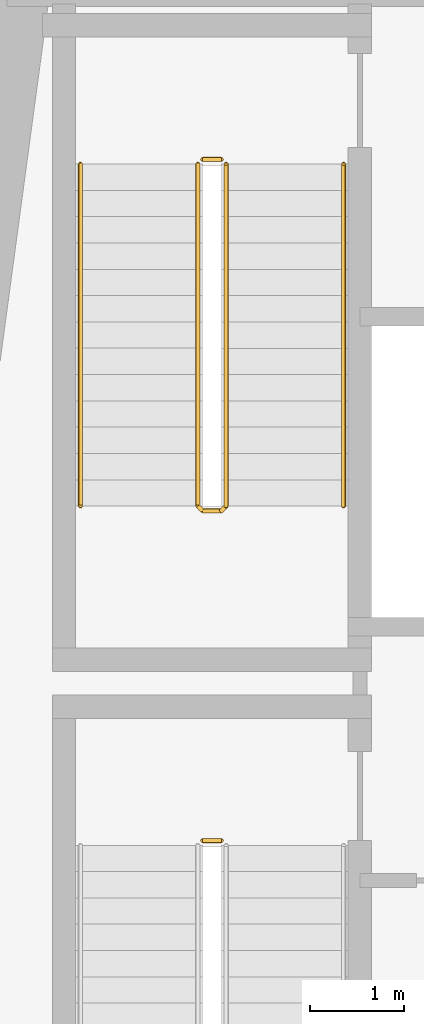
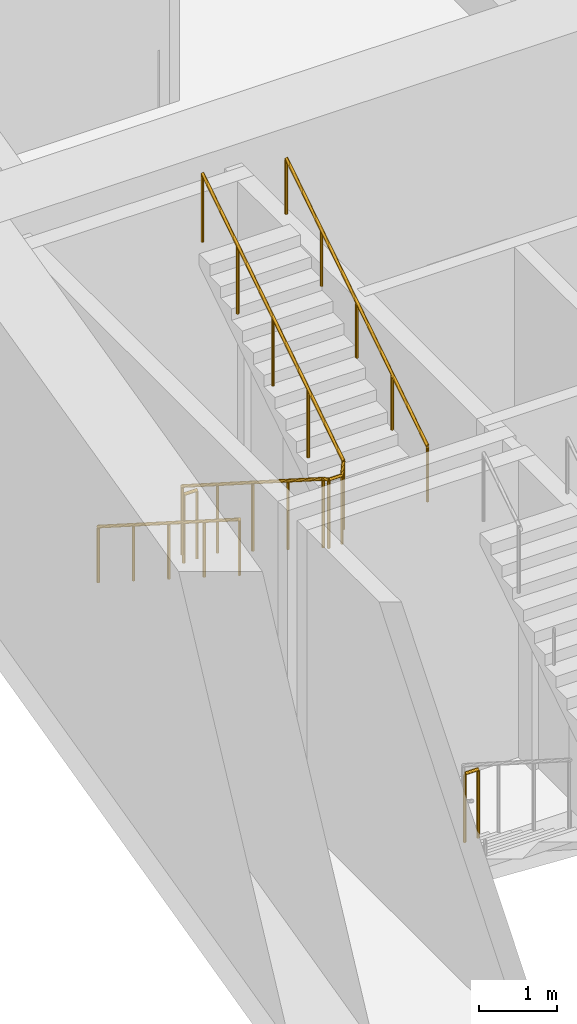
# One storey, part 9 of 11: 5 railings.
"""IFC4 building model written with IfcOpenShell, lengths in metres."""

from ifc_helpers import new_model, si_unit, direction, frame, origin, origin_2d, place, context, subcontext, project, spatial, circle, extrude, material, type_object, element, save


model = new_model("IFC4")

# Units and contexts
model_context = context("Model", 3, precision=1e-05, world=origin(), true_north=direction((0.0, 1.0)))
body_context = subcontext(model_context, "Body", "Model", "MODEL_VIEW")
ifc_project = project(units=[si_unit("LENGTHUNIT", "METRE"), si_unit("AREAUNIT", "SQUARE_METRE"), si_unit("VOLUMEUNIT", "CUBIC_METRE"), si_unit("PLANEANGLEUNIT", "RADIAN"), si_unit("MASSUNIT", "GRAM", prefix="KILO")], contexts=[model_context])

# Site, building, storey
site_placement = place(None, origin())
site = spatial("IfcSite", under=ifc_project, at=site_placement, CompositionType="ELEMENT")
building_placement = place(site_placement, origin())
building = spatial("IfcBuilding", under=site, at=building_placement, Name="Candeia Pilgrim Tower and Theatre", CompositionType="ELEMENT")
storey_placement = place(building_placement, frame((0.0, 0.0, 142.800048828125)))
storey = spatial("IfcBuildingStorey", under=building, at=storey_placement, Name="L33", CompositionType="ELEMENT", Elevation=142.800048828125)

# Railings
ifc_material_1 = material(Name="Stainless steel balustrade", Category="steel")
railing_type_1 = type_object("IfcRailingType", Name="RL-GUARD-1100", PredefinedType="GUARDRAIL", material=ifc_material_1)
railing_1_placement = place(storey_placement, frame((91.152099609375, 122.52490234375, 0.0)))
element("IfcRailing", 1, at=railing_1_placement, inside=storey, type_object=railing_type_1, Name="L33 ST1 stair guard 2", PredefinedType="GUARDRAIL", context=body_context, shape_type="SweptSolid", body=[
    extrude(circle(Radius=0.02392578125, at=origin_2d()), frame((0.0, 0.0, 1.076171875), z_axis=(1.0, 0.0, 0.0), x_axis=(0.0, 1.0, 0.0)), (0.0, 0.0, 1.0), 0.199951171875),
    extrude(circle(Radius=0.02099609375, at=origin_2d()), origin(), (0.0, 0.0, 1.0), 1.052001953125),
    extrude(circle(Radius=0.02099609375, at=origin_2d()), frame((0.199951171875, 0.0, 0.0)), (0.0, 0.0, 1.0), 1.052001953125),
])
railing_2_placement = place(storey_placement, frame((91.10205078125, 129.72509765625, 0.178466796875)))
element("IfcRailing", 2, at=railing_2_placement, inside=storey, type_object=railing_type_1, Name="L33 ST2 stair guard 1", PredefinedType="GUARDRAIL", context=body_context, shape_type="SweptSolid", body=[
    extrude(circle(Radius=0.02392578125, at=origin_2d()), frame((0.0, 0.0, 1.076171875), z_axis=(0.0, -0.843127859045, 0.537713132908), x_axis=(1.0, 0.0, 0.0)), (0.0, 0.0, 1.0), 4.3173828125),
    extrude(circle(Radius=0.02392578125, at=origin_2d()), frame((0.0, -3.64013671875, 3.3974609375), z_axis=(0.707106781187, -0.707106781187, 0.0), x_axis=(0.707106781187, 0.707106781187, 0.0)), (0.0, 0.0, 1.0), 0.07080078125),
    extrude(circle(Radius=0.02392578125, at=origin_2d()), frame((0.050048828125, -3.690185546875, 3.3974609375), z_axis=(1.0, 0.0, 0.0), x_axis=(0.0, 1.0, 0.0)), (0.0, 0.0, 1.0), 0.199951171875),
    extrude(circle(Radius=0.02392578125, at=origin_2d()), frame((0.25, -3.690185546875, 3.3974609375), z_axis=(0.260684529273, 0.260684529273, 0.929562882432), x_axis=(-0.707106781187, 0.707106781187, 0.0)), (0.0, 0.0, 1.0), 0.19189453125),
    extrude(circle(Radius=0.02392578125, at=origin_2d()), frame((0.300048828125, -3.64013671875, 3.576171875), z_axis=(0.0, 0.843127859045, 0.537713132908), x_axis=(-1.0, 0.0, 0.0)), (0.0, 0.0, 1.0), 4.3173828125),
    extrude(circle(Radius=0.02099609375, at=origin_2d()), origin(), (0.0, 0.0, 1.0), 1.052001953125),
    extrude(circle(Radius=0.02099609375, at=origin_2d()), frame((0.0, -0.91015625, 0.580322265625)), (0.0, 0.0, 1.0), 1.052001953125),
    extrude(circle(Radius=0.02099609375, at=origin_2d()), frame((0.0, -1.820068359375, 1.16064453125)), (0.0, 0.0, 1.0), 1.052001953125),
    extrude(circle(Radius=0.02099609375, at=origin_2d()), frame((0.0, -2.72998046875, 1.7412109375)), (0.0, 0.0, 1.0), 1.052001953125),
    extrude(circle(Radius=0.02099609375, at=origin_2d()), frame((0.0, -3.64013671875, 2.321533203125)), (0.0, 0.0, 1.0), 1.052001953125),
    extrude(circle(Radius=0.02099609375, at=origin_2d()), frame((0.050048828125, -3.690185546875, 2.321533203125)), (0.0, 0.0, 1.0), 1.052001953125),
    extrude(circle(Radius=0.02099609375, at=origin_2d()), frame((0.25, -3.690185546875, 2.321533203125)), (0.0, 0.0, 1.0), 1.052001953125),
    extrude(circle(Radius=0.02099609375, at=origin_2d()), frame((0.300048828125, -3.64013671875, 2.5)), (0.0, 0.0, 1.0), 1.052001953125),
    extrude(circle(Radius=0.02099609375, at=origin_2d()), frame((0.300048828125, -2.72998046875, 3.080322265625)), (0.0, 0.0, 1.0), 1.052001953125),
    extrude(circle(Radius=0.02099609375, at=origin_2d()), frame((0.300048828125, -1.820068359375, 3.66064453125)), (0.0, 0.0, 1.0), 1.052001953125),
    extrude(circle(Radius=0.02099609375, at=origin_2d()), frame((0.300048828125, -0.91015625, 4.2412109375)), (0.0, 0.0, 1.0), 1.052001953125),
    extrude(circle(Radius=0.02099609375, at=origin_2d()), frame((0.300048828125, 0.0, 4.821533203125)), (0.0, 0.0, 1.0), 1.052001953125),
])
railing_3_placement = place(storey_placement, frame((91.152099609375, 129.77490234375, 0.0)))
element("IfcRailing", 3, at=railing_3_placement, inside=storey, type_object=railing_type_1, Name="L33 ST2 stair guard 2", PredefinedType="GUARDRAIL", context=body_context, shape_type="SweptSolid", body=[
    extrude(circle(Radius=0.02392578125, at=origin_2d()), frame((0.0, 0.0, 1.076171875), z_axis=(1.0, 0.0, 0.0), x_axis=(0.0, 1.0, 0.0)), (0.0, 0.0, 1.0), 0.199951171875),
    extrude(circle(Radius=0.02099609375, at=origin_2d()), origin(), (0.0, 0.0, 1.0), 1.052001953125),
    extrude(circle(Radius=0.02099609375, at=origin_2d()), frame((0.199951171875, 0.0, 0.0)), (0.0, 0.0, 1.0), 1.052001953125),
])
ifc_material_2 = material(Name="Stainless steel handrail", Category="steel")
railing_type_2 = type_object("IfcRailingType", Name="RL-HANDRAIL-900", PredefinedType="HANDRAIL", material=ifc_material_2)
railing_4_placement = place(storey_placement, frame((89.85205078125, 129.72509765625, 0.178466796875)))
element("IfcRailing", 4, at=railing_4_placement, inside=storey, type_object=railing_type_2, Name="L33 ST2 stair handrail 1", PredefinedType="HANDRAIL", context=body_context, shape_type="SweptSolid", body=[
    extrude(circle(Radius=0.02392578125, at=origin_2d()), frame((0.0, 0.0, 0.8759765625), z_axis=(0.0, -0.843127859045, 0.537713132908), x_axis=(1.0, 0.0, 0.0)), (0.0, 0.0, 1.0), 4.3173828125),
    extrude(circle(Radius=0.02099609375, at=origin_2d()), origin(), (0.0, 0.0, 1.0), 0.851806640625),
    extrude(circle(Radius=0.02099609375, at=origin_2d()), frame((0.0, -0.91015625, 0.580322265625)), (0.0, 0.0, 1.0), 0.851806640625),
    extrude(circle(Radius=0.02099609375, at=origin_2d()), frame((0.0, -1.820068359375, 1.16064453125)), (0.0, 0.0, 1.0), 0.851806640625),
    extrude(circle(Radius=0.02099609375, at=origin_2d()), frame((0.0, -2.72998046875, 1.7412109375)), (0.0, 0.0, 1.0), 0.851806640625),
    extrude(circle(Radius=0.02099609375, at=origin_2d()), frame((0.0, -3.64013671875, 2.321533203125)), (0.0, 0.0, 1.0), 0.851806640625),
])
railing_5_placement = place(storey_placement, frame((92.652099609375, 126.0849609375, 2.678466796875)))
element("IfcRailing", 5, at=railing_5_placement, inside=storey, type_object=railing_type_2, Name="L33 ST2 stair handrail 2", PredefinedType="HANDRAIL", context=body_context, shape_type="SweptSolid", body=[
    extrude(circle(Radius=0.02392578125, at=origin_2d()), frame((0.0, 0.0, 0.8759765625), z_axis=(0.0, 0.843127859045, 0.537713132908), x_axis=(-1.0, 0.0, 0.0)), (0.0, 0.0, 1.0), 4.3173828125),
    extrude(circle(Radius=0.02099609375, at=origin_2d()), origin(), (0.0, 0.0, 1.0), 0.851806640625),
    extrude(circle(Radius=0.02099609375, at=origin_2d()), frame((0.0, 0.91015625, 0.580322265625)), (0.0, 0.0, 1.0), 0.851806640625),
    extrude(circle(Radius=0.02099609375, at=origin_2d()), frame((0.0, 1.820068359375, 1.16064453125)), (0.0, 0.0, 1.0), 0.851806640625),
    extrude(circle(Radius=0.02099609375, at=origin_2d()), frame((0.0, 2.72998046875, 1.7412109375)), (0.0, 0.0, 1.0), 0.851806640625),
    extrude(circle(Radius=0.02099609375, at=origin_2d()), frame((0.0, 3.64013671875, 2.321533203125)), (0.0, 0.0, 1.0), 0.851806640625),
])

save(model, "model.ifc")
